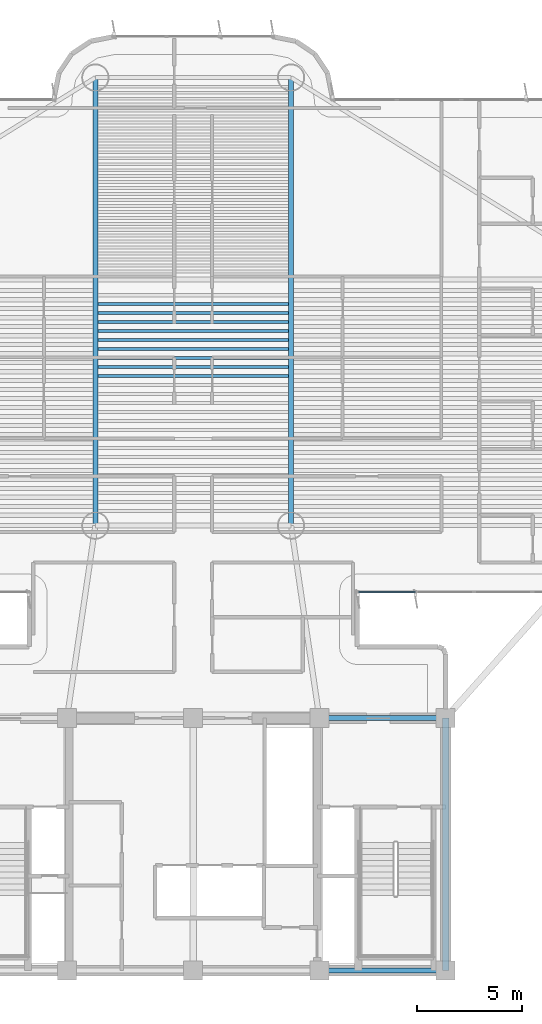
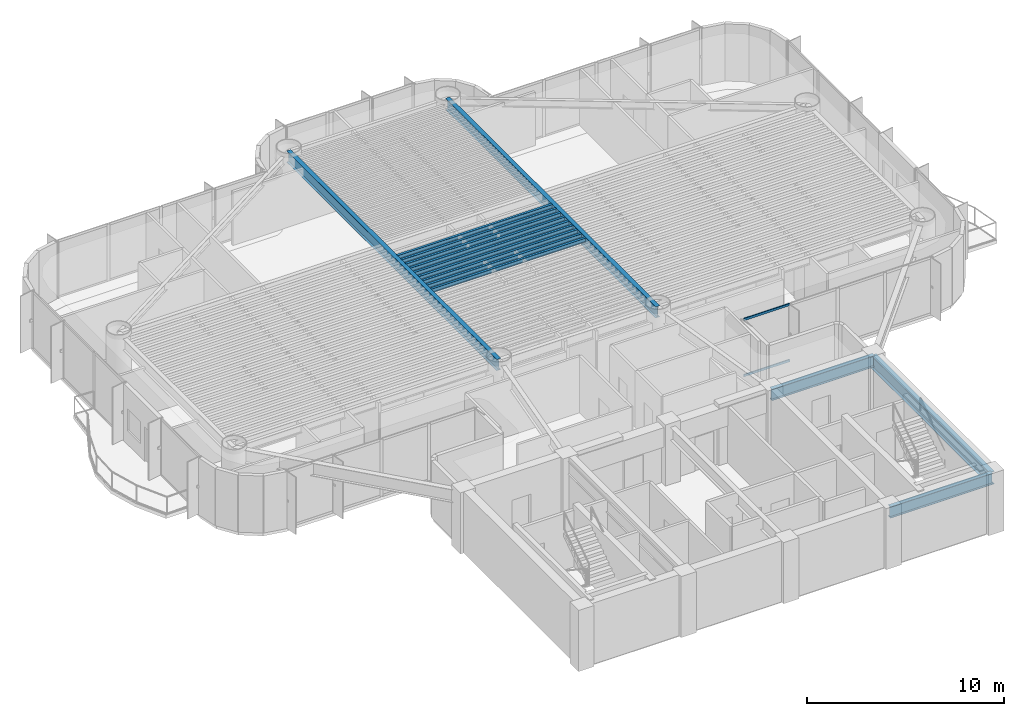
# One storey, part 3 of 17: 14 beams, 2 members, 1 element without a shape of its own.
"""IFC4 building model written with IfcOpenShell, lengths in metres."""

from ifc_helpers import new_model, si_unit, direction, frame, origin, origin_2d, place, context, subcontext, project, spatial, rectangle, i_section, extrude, source, transform, mapped, material, layer, layer_set, material_profile, profile_set, type_object, element, aggregate, save


model = new_model("IFC4")

# Units and contexts
model_context = context("Model", 3, precision=1e-05, world=origin(), true_north=direction((0.0, 1.0)))
body_context = subcontext(model_context, "Body", "Model", "MODEL_VIEW")
ifc_project = project(units=[si_unit("LENGTHUNIT", "METRE"), si_unit("AREAUNIT", "SQUARE_METRE"), si_unit("VOLUMEUNIT", "CUBIC_METRE"), si_unit("PLANEANGLEUNIT", "RADIAN"), si_unit("MASSUNIT", "GRAM", prefix="KILO")], contexts=[model_context])

# Site, building, storey
site_placement = place(None, origin())
site = spatial("IfcSite", under=ifc_project, at=site_placement, CompositionType="ELEMENT")
building_placement = place(site_placement, origin())
building = spatial("IfcBuilding", under=site, at=building_placement, Name="Brelvock Crest Care Tower", CompositionType="ELEMENT")
storey_placement = place(building_placement, frame((0.0, 0.0, 131.39990234375)))
storey = spatial("IfcBuildingStorey", under=building, at=storey_placement, Name="L33", CompositionType="ELEMENT", Elevation=131.39990234375)

# Beams
ifc_material_1 = material(Name="Steel Grade 350", Category="steel")
ifc_material_profile_1 = material_profile(ifc_material_1, i_section(OverallWidth=0.25, OverallDepth=0.699951171875, WebThickness=0.011962890625, FlangeThickness=0.02001953125, at=origin_2d()), Name="700WB150")
ifc_profile_set_1 = profile_set([ifc_material_profile_1], Name="Steel Grade 350")
beam_type_1 = type_object("IfcBeamType", Name="BM-G4", PredefinedType="BEAM", material=ifc_profile_set_1)
shared_shape_1 = source(origin(), body_context, "Body", "SweptSolid", [
    extrude(i_section(OverallWidth=0.25, OverallDepth=0.699951171875, WebThickness=0.011962890625, FlangeThickness=0.02001953125, at=origin_2d()), origin(), (0.0, 0.0, 1.0), 6.0),
])
for number, where, z_axis, x_axis, name in (
    (1, (42.0, 6.0, 3.18017578125), (1.0, 0.0, 0.0), (0.0, 1.0, 0.0), "BM-CORES-L33-4"),
    (2, (42.0, 18.0, 3.18017578125), (1.0, 0.0, 0.0), (0.0, 1.0, 0.0), "BM-COREN-L33-4"),
):
    element("IfcBeam", number, at=place(storey_placement, frame(where, z_axis=z_axis, x_axis=x_axis)), inside=storey, type_object=beam_type_1, Name=name, PredefinedType="BEAM", context=body_context, shape_type="MappedRepresentation", body=[
        mapped(shared_shape_1, transform((0.0, 0.0, 0.0), x_axis=(1.0, 0.0, 0.0), y_axis=(0.0, 1.0, 0.0), z_axis=(0.0, 0.0, 1.0), scale=1.0)),
    ])
ifc_material_profile_2 = material_profile(ifc_material_1, i_section(OverallWidth=0.300048828125, OverallDepth=0.800048828125, WebThickness=0.013916015625, FlangeThickness=0.02197265625, at=origin_2d()), Name="800WB192")
ifc_profile_set_2 = profile_set([ifc_material_profile_2], Name="Steel Grade 350")
beam_type_2 = type_object("IfcBeamType", Name="BM-G5", PredefinedType="BEAM", material=ifc_profile_set_2)
shared_shape_2 = source(origin(), body_context, "Body", "SweptSolid", [
    extrude(i_section(OverallWidth=0.300048828125, OverallDepth=0.800048828125, WebThickness=0.013916015625, FlangeThickness=0.02197265625, at=origin_2d()), origin(), (0.0, 0.0, 1.0), 12.0),
])
beam_placement = place(storey_placement, frame((48.0, 6.0, 3.130126953125), z_axis=(0.0, 1.0, 0.0), x_axis=(-1.0, 0.0, 0.0)))
element("IfcBeam", 3, at=beam_placement, inside=storey, type_object=beam_type_2, Name="BM-COREX-L33-5", PredefinedType="BEAM", context=body_context, shape_type="MappedRepresentation", body=[
    mapped(shared_shape_2, transform((0.0, 0.0, 0.0), x_axis=(1.0, 0.0, 0.0), y_axis=(0.0, 1.0, 0.0), z_axis=(0.0, 0.0, 1.0), scale=1.0)),
])
ifc_material_profile_3 = material_profile(ifc_material_1, i_section(OverallWidth=0.14599609375, OverallDepth=0.256103515625, WebThickness=0.00634765625, FlangeThickness=0.010986328125, FilletRadius=0.0087890625, at=origin_2d()), Name="250UB37.3")
ifc_profile_set_3 = profile_set([ifc_material_profile_3], Name="Steel Grade 350")
beam_type_3 = type_object("IfcBeamType", Name="BM-J3", PredefinedType="JOIST", material=ifc_profile_set_3)
shared_shape_3 = source(origin(), body_context, "Body", "SweptSolid", [
    extrude(i_section(OverallWidth=0.14599609375, OverallDepth=0.256103515625, WebThickness=0.00634765625, FlangeThickness=0.010986328125, FilletRadius=0.0087890625, at=origin_2d()), origin(), (0.0, 0.0, 1.0), 9.06982421875),
])
for number, where, z_axis, x_axis, name in (
    (4, (31.465087890625, 34.2607421875, 3.402099609375), (1.0, 0.0, 0.0), (0.0, 1.0, 0.0), "BM-JH-L33-16"),
    (5, (31.465087890625, 34.687744140625, 3.402099609375), (1.0, 0.0, 0.0), (0.0, 1.0, 0.0), "BM-JH-L33-17"),
    (6, (31.465087890625, 35.11474609375, 3.402099609375), (1.0, 0.0, 0.0), (0.0, 1.0, 0.0), "BM-JH-L33-18"),
    (7, (31.465087890625, 35.541748046875, 3.402099609375), (1.0, 0.0, 0.0), (0.0, 1.0, 0.0), "BM-JH-L33-19"),
    (8, (31.465087890625, 35.96875, 3.402099609375), (1.0, 0.0, 0.0), (0.0, 1.0, 0.0), "BM-JH-L33-20"),
    (9, (31.465087890625, 36.39599609375, 3.402099609375), (1.0, 0.0, 0.0), (0.0, 1.0, 0.0), "BM-JH-L33-21"),
    (10, (31.465087890625, 36.822998046875, 3.402099609375), (1.0, 0.0, 0.0), (0.0, 1.0, 0.0), "BM-JH-L33-22"),
    (11, (31.465087890625, 37.25, 3.402099609375), (1.0, 0.0, 0.0), (0.0, 1.0, 0.0), "BM-JH-L33-23"),
    (12, (31.465087890625, 37.677001953125, 3.402099609375), (1.0, 0.0, 0.0), (0.0, 1.0, 0.0), "BM-JH-L33-24"),
):
    element("IfcBeam", number, at=place(storey_placement, frame(where, z_axis=z_axis, x_axis=x_axis)), inside=storey, type_object=beam_type_3, Name=name, PredefinedType="JOIST", context=body_context, shape_type="MappedRepresentation", body=[
        mapped(shared_shape_3, transform((0.0, 0.0, 0.0), x_axis=(1.0, 0.0, 0.0), y_axis=(0.0, 1.0, 0.0), z_axis=(0.0, 0.0, 1.0), scale=1.0)),
    ])
shared_shape_4 = source(origin(), body_context, "Body", "SweptSolid", [
    extrude(i_section(OverallWidth=0.25, OverallDepth=0.699951171875, WebThickness=0.011962890625, FlangeThickness=0.02001953125, at=origin_2d()), origin(), (0.0, 0.0, 1.0), 21.300048828125),
])
for number, where, z_axis, x_axis, name in (
    (13, (31.35009765625, 27.14990234375, 3.18017578125), (0.0, 1.0, 0.0), (-1.0, 0.0, 0.0), "BM-TWR-L33-09"),
    (14, (40.64990234375, 27.14990234375, 3.18017578125), (0.0, 1.0, 0.0), (-1.0, 0.0, 0.0), "BM-TWR-L33-10"),
):
    element("IfcBeam", number, at=place(storey_placement, frame(where, z_axis=z_axis, x_axis=x_axis)), inside=storey, type_object=beam_type_1, Name=name, PredefinedType="BEAM", context=body_context, shape_type="MappedRepresentation", body=[
        mapped(shared_shape_4, transform((0.0, 0.0, 0.0), x_axis=(1.0, 0.0, 0.0), y_axis=(0.0, 1.0, 0.0), z_axis=(0.0, 0.0, 1.0), scale=1.0)),
    ])

# Curtain wall, members
ifc_material_2 = material(Name="Dark Glass Double Glazed Low-E", Category="glass")
ifc_layer = layer(ifc_material_2, 0.2099609375, Name="CWS-3")
ifc_layer_set = layer_set([ifc_layer], Name="Dark Glass Double Glazed Low-E")
curtain_wall_type = type_object("IfcCurtainWallType", Name="CWS-3", PredefinedType="NOTDEFINED", material=ifc_layer_set)
curtain_wall_placement = place(storey_placement, origin())
curtain_wall = element("IfcCurtainWall", 15, at=curtain_wall_placement, inside=storey, type_object=curtain_wall_type, Name="L33 Curtain Wall E44", PredefinedType="NOTDEFINED")
ifc_material_3 = material(Name="Aluminium 6063-T6", Category="aluminium")
ifc_material_profile_4 = material_profile(ifc_material_3, rectangle(XDim=0.06005859375, YDim=0.139892578125, at=origin_2d()), Name="ALU60x140")
ifc_profile_set_4 = profile_set([ifc_material_profile_4], Name="Aluminium 6063-T6")
member_type = type_object("IfcMemberType", Name="CWT-2", PredefinedType="USERDEFINED", material=ifc_profile_set_4)
shared_shape_5 = source(origin(), body_context, "Body", "SweptSolid", [
    extrude(rectangle(XDim=0.06005859375, YDim=0.139892578125, at=origin_2d()), origin(), (0.0, 0.0, 1.0), 2.684814453125),
])
member_1_placement = place(storey_placement, frame((46.544921875, 24.0, 0.030029296875), z_axis=(-1.0, 0.0, 0.0), x_axis=(0.0, -1.0, 0.0)))
member_1 = element("IfcMember", 16, at=member_1_placement, type_object=member_type, Name="CW-3 transom 4.1", ObjectType="TRANSOM", PredefinedType="USERDEFINED", context=body_context, shape_type="MappedRepresentation", body=[
    mapped(shared_shape_5, transform((0.0, 0.0, 0.0), x_axis=(1.0, 0.0, 0.0), y_axis=(0.0, 1.0, 0.0), z_axis=(0.0, 0.0, 1.0), scale=1.0)),
])
member_2_placement = place(storey_placement, frame((46.544921875, 24.0, 3.5), z_axis=(-1.0, 0.0, 0.0), x_axis=(0.0, -1.0, 0.0)))
member_2 = element("IfcMember", 17, at=member_2_placement, type_object=member_type, Name="CW-3 transom 4.2", ObjectType="TRANSOM", PredefinedType="USERDEFINED", context=body_context, shape_type="MappedRepresentation", body=[
    mapped(shared_shape_5, transform((0.0, 0.0, 0.0), x_axis=(1.0, 0.0, 0.0), y_axis=(0.0, 1.0, 0.0), z_axis=(0.0, 0.0, 1.0), scale=1.0)),
])
aggregate(curtain_wall, [member_1, member_2])

save(model, "model.ifc")
